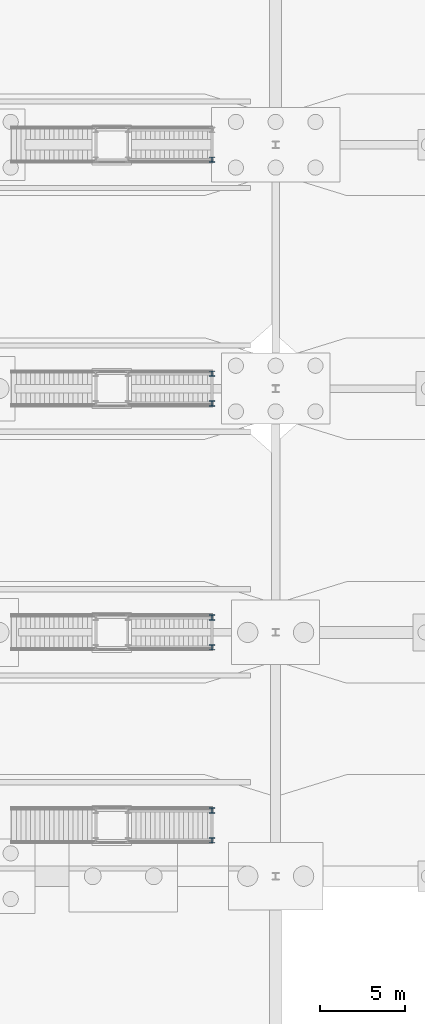
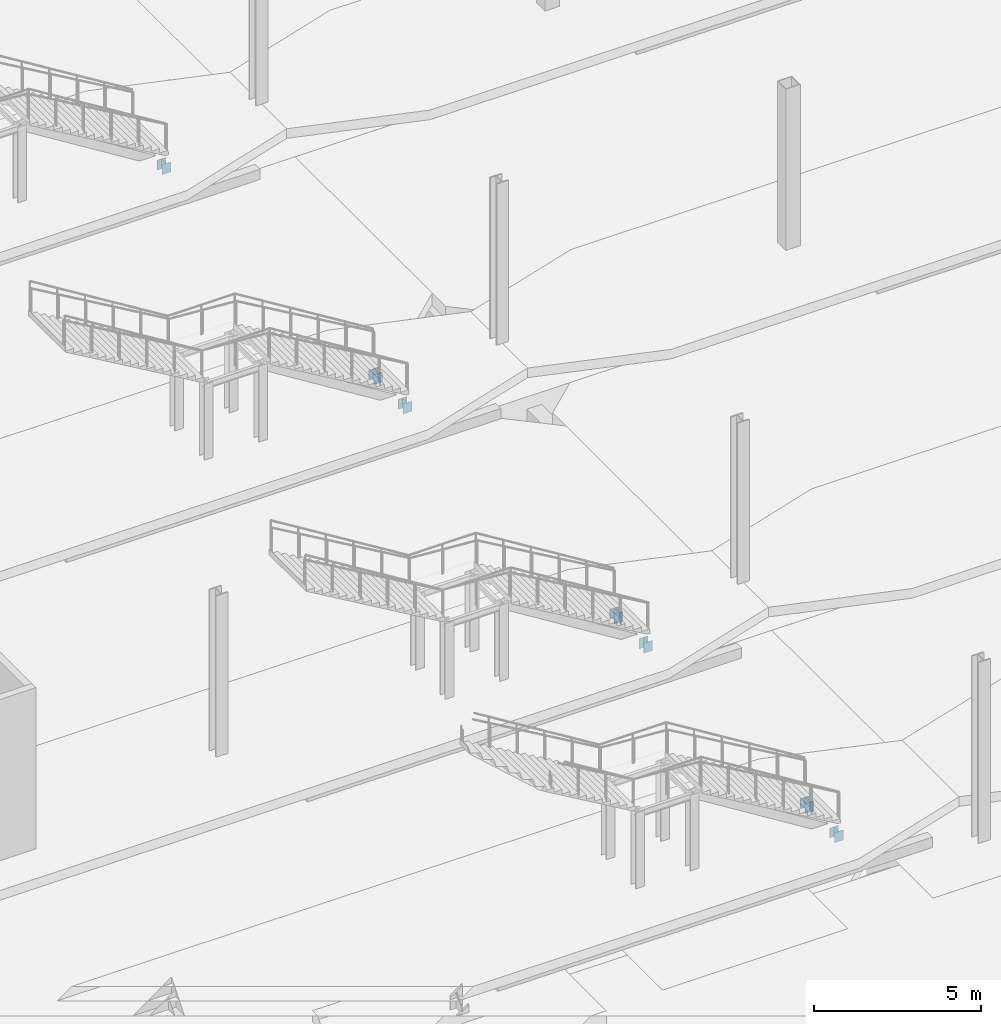
# One storey, part 35 of 115: 7 columns.
"""IFC4 building model written with IfcOpenShell, lengths in metres."""

from ifc_helpers import new_model, si_unit, direction, frame, origin, origin_2d, place, context, subcontext, project, spatial, i_section, extrude, material, material_profile, profile_set, type_object, element, save


model = new_model("IFC4")

# Units and contexts
model_context = context("Model", 3, precision=1e-05, world=origin(), true_north=direction((0.0, 1.0)))
body_context = subcontext(model_context, "Body", "Model", "MODEL_VIEW")
ifc_project = project(units=[si_unit("LENGTHUNIT", "METRE"), si_unit("AREAUNIT", "SQUARE_METRE"), si_unit("VOLUMEUNIT", "CUBIC_METRE"), si_unit("PLANEANGLEUNIT", "RADIAN"), si_unit("MASSUNIT", "GRAM", prefix="KILO")], contexts=[model_context])

# Site, building, storey
site_placement = place(None, origin())
site = spatial("IfcSite", under=ifc_project, at=site_placement, CompositionType="ELEMENT")
building_placement = place(site_placement, origin())
building = spatial("IfcBuilding", under=site, at=building_placement, Name="Tamarisk Ironworks Central Station", CompositionType="ELEMENT")
storey_placement = place(building_placement, origin())
storey = spatial("IfcBuildingStorey", under=building, at=storey_placement, Name="L00", CompositionType="ELEMENT", Elevation=0.0)

# Columns
ifc_material = material(Name="Structural steel S355J2", Category="steel")
ifc_material_profile = material_profile(ifc_material, i_section(OverallWidth=0.300048828125, OverallDepth=0.300048828125, WebThickness=0.010986328125, FlangeThickness=0.01904296875, at=origin_2d()), Name="HEB 300")
ifc_profile_set = profile_set([ifc_material_profile], Name="Structural steel S355J2")
column_type = type_object("IfcColumnType", Name="COL-S12", PredefinedType="COLUMN", material=ifc_profile_set)
for number, where, z_axis, x_axis, name in (
    (1, (104.239990234375, 23.719970703125, 0.0), (0.0, 0.0, 1.0), (1.0, 0.0, 0.0), "ST-P1B bottom stringer support post S"),
    (2, (104.239990234375, 25.47998046875, 0.0), (0.0, 0.0, 1.0), (1.0, 0.0, 0.0), "ST-P1B bottom stringer support post N"),
    (3, (104.239990234375, 35.1201171875, 0.0), (0.0, 0.0, 1.0), (1.0, 0.0, 0.0), "ST-P2B bottom stringer support post S"),
    (4, (104.239990234375, 36.8798828125, 0.0), (0.0, 0.0, 1.0), (1.0, 0.0, 0.0), "ST-P2B bottom stringer support post N"),
    (5, (104.239990234375, 49.52001953125, 0.0), (0.0, 0.0, 1.0), (1.0, 0.0, 0.0), "ST-P3B bottom stringer support post S"),
    (6, (104.239990234375, 51.280029296875, 0.0), (0.0, 0.0, 1.0), (1.0, 0.0, 0.0), "ST-P3B bottom stringer support post N"),
    (7, (104.239990234375, 63.919921875, 0.0), (0.0, 0.0, 1.0), (1.0, 0.0, 0.0), "ST-P4B bottom stringer support post S"),
):
    element("IfcColumn", number, at=place(storey_placement, frame(where, z_axis=z_axis, x_axis=x_axis)), inside=storey, type_object=column_type, Name=name, PredefinedType="COLUMN", context=body_context, shape_type="SweptSolid", body=[
        extrude(i_section(OverallWidth=0.300048828125, OverallDepth=0.300048828125, WebThickness=0.010986328125, FlangeThickness=0.01904296875, at=origin_2d()), origin(), (0.0, 0.0, 1.0), 0.360107421875),
    ])

save(model, "model.ifc")
